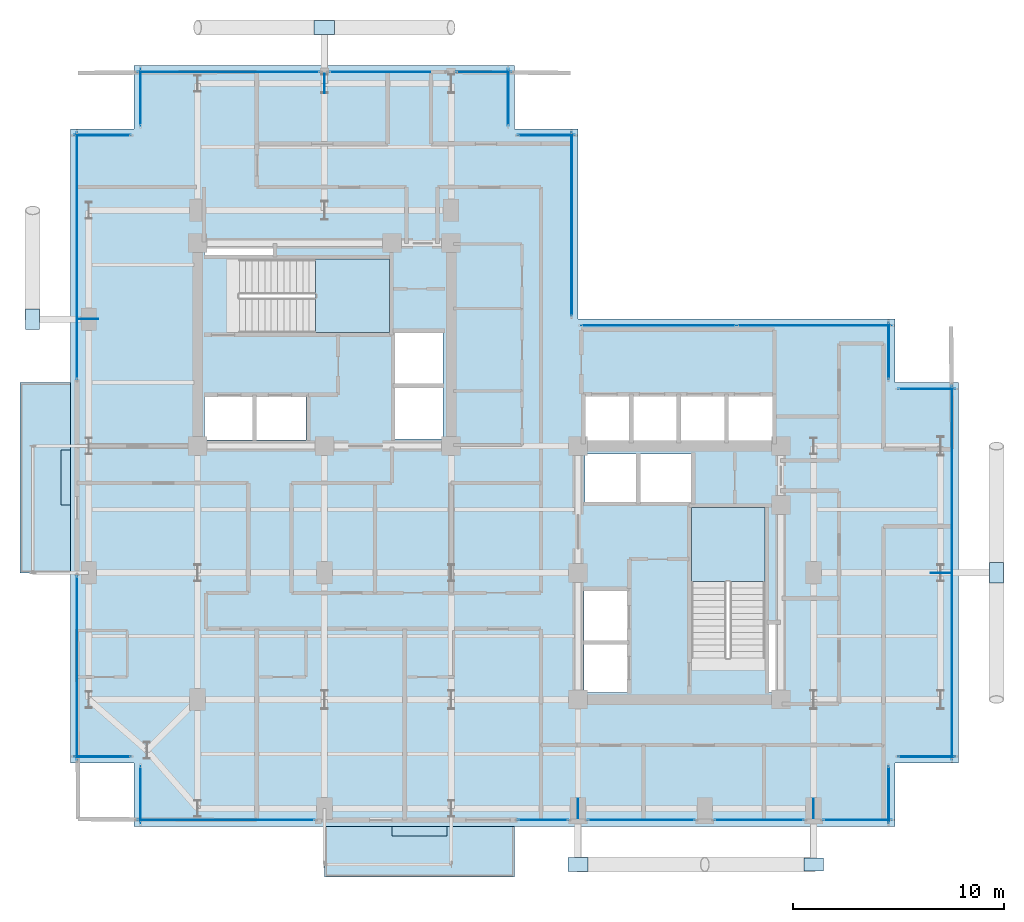
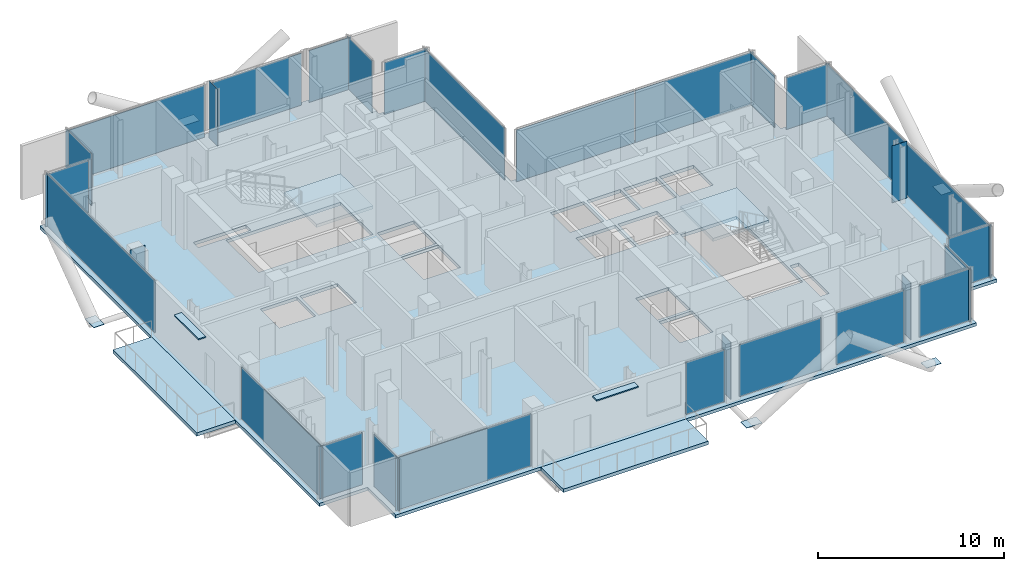
# One storey, part 15 of 22: 36 plates, 5 slabs, 25 elements without a shape of their own.
"""IFC4 building model written with IfcOpenShell, lengths in metres."""

import ifcopenshell
import ifcopenshell.guid

model = None  # the IFC model being written
_history = None  # IfcOwnerHistory: only IFC2X3 demands one
_inside = {}  # id of a spatial element -> (the spatial element, [elements in it])
_under = {}  # id of a project, library or spatial element -> (it, [spatial elements below it])
_declared = {}  # id of a project -> (the project, [libraries it declares])
_typed = {}  # id of a type object -> (the type object, [elements of that type])
_made_of = {}  # id of a material, layer set ... -> (it, [elements and type objects made of it])


def new_model(schema):
    """Start an empty IFC model of exactly this schema.

    Asked for "IFC4X3", IfcOpenShell would pick the latest addendum, in which some entities
    have other attributes; the version numbers below select the first issue.
    IFC2X3 requires an IfcOwnerHistory on every rooted entity: one is made here for all.
    """
    global model, _history
    if schema == "IFC4X3":
        model = ifcopenshell.file(schema_version=(4, 3, 0, 0))
    else:
        model = ifcopenshell.file(schema=schema)
    _inside.clear()
    _under.clear()
    _declared.clear()
    _typed.clear()
    _made_of.clear()
    _history = None
    if model.schema == "IFC2X3":
        org = make("IfcOrganization", Name="unknown")
        user = make(
            "IfcPersonAndOrganization",
            ThePerson=make("IfcPerson", FamilyName="unknown"),
            TheOrganization=org,
        )
        app = make(
            "IfcApplication",
            ApplicationDeveloper=org,
            Version="unknown",
            ApplicationFullName="unknown",
            ApplicationIdentifier="unknown",
        )
        _history = make(
            "IfcOwnerHistory",
            OwningUser=user,
            OwningApplication=app,
            ChangeAction="ADDED",
            CreationDate=0,
        )
    return model


def make(cls, **values):
    """One entity of the class cls with the attributes given. An attribute that is None is left unset."""
    return model.create_entity(
        cls, **{name: value for name, value in values.items() if value is not None}
    )


def rooted(cls, **values):
    """An entity with a GlobalId (a new one), such as an element, a storey or a relation."""
    return make(cls, GlobalId=ifcopenshell.guid.new(), OwnerHistory=_history, **values)


def si_unit(unit_type, name, prefix=None):
    """IfcSIUnit, for example si_unit("LENGTHUNIT", "METRE", prefix="MILLI")."""
    return make("IfcSIUnit", UnitType=unit_type, Prefix=prefix, Name=name)


def assignment(units):
    """IfcUnitAssignment: the units of a project."""
    return None if units is None else make("IfcUnitAssignment", Units=units)


def point(xyz):
    """IfcCartesianPoint."""
    return None if xyz is None else make("IfcCartesianPoint", Coordinates=xyz)


def direction(xyz):
    """IfcDirection."""
    return None if xyz is None else make("IfcDirection", DirectionRatios=xyz)


def frame(location, z_axis=None, x_axis=None):
    """IfcAxis2Placement3D, a coordinate frame: its origin and axes. An axis left out is left unset."""
    return make(
        "IfcAxis2Placement3D",
        Location=point(location),
        Axis=direction(z_axis),
        RefDirection=direction(x_axis),
    )


def frame_2d(location, x_axis=None):
    """IfcAxis2Placement2D, a coordinate frame in the plane: its origin and x axis."""
    return make(
        "IfcAxis2Placement2D", Location=point(location), RefDirection=direction(x_axis)
    )


def origin():
    """The frame at (0, 0, 0) with its axes left unset."""
    return frame((0.0, 0.0, 0.0))


def origin_2d():
    """The frame at (0, 0) in the plane with its x axis left unset."""
    return frame_2d((0.0, 0.0))


def place(relative_to, where):
    """IfcLocalPlacement: puts the frame where relative to a parent placement (None: the world)."""
    return make(
        "IfcLocalPlacement", PlacementRelTo=relative_to, RelativePlacement=where
    )


def context(
    kind, dimensions, precision=None, world=None, true_north=None, identifier=None
):
    """IfcGeometricRepresentationContext, for example the 3D "Model" context."""
    return make(
        "IfcGeometricRepresentationContext",
        ContextIdentifier=identifier,
        ContextType=kind,
        CoordinateSpaceDimension=dimensions,
        Precision=precision,
        WorldCoordinateSystem=world,
        TrueNorth=true_north,
    )


def subcontext(parent, identifier, kind, view, scale=None):
    """IfcGeometricRepresentationSubContext, for example "Body" below "Model"."""
    return make(
        "IfcGeometricRepresentationSubContext",
        ContextIdentifier=identifier,
        ContextType=kind,
        ParentContext=parent,
        TargetScale=scale,
        TargetView=view,
    )


def project(units=None, contexts=None):
    """IfcProject with its units and contexts."""
    return rooted(
        "IfcProject",
        Name="project",
        RepresentationContexts=contexts,
        UnitsInContext=assignment(units),
    )


def spatial(cls, under=None, at=None, **own):
    """A site, building, storey or space (cls), placed at a placement, below another one or the project."""
    s = rooted(cls, ObjectPlacement=at, **own)
    if under is not None:
        _under.setdefault(under.id(), (under, []))[1].append(s)
    return s


def polyline(points):
    """IfcPolyline through the points."""
    return make("IfcPolyline", Points=[point(p) for p in points])


def profile(cls, at=None, kind="AREA", **sizes):
    """A parametric profile (cls). Its sizes go by their IFC names, for example OverallWidth=200.0."""
    return make(cls, ProfileType=kind, Position=at, **sizes)


def rectangle(**sizes):
    """IfcRectangleProfileDef."""
    return profile("IfcRectangleProfileDef", **sizes)


def outline(outer, holes=None, kind="AREA"):
    """IfcArbitraryClosedProfileDef: a profile drawn as a closed curve; with holes, ...WithVoids."""
    if holes is None:
        return make("IfcArbitraryClosedProfileDef", ProfileType=kind, OuterCurve=outer)
    return make(
        "IfcArbitraryProfileDefWithVoids",
        ProfileType=kind,
        OuterCurve=outer,
        InnerCurves=holes,
    )


def extrude(swept, where, along, depth):
    """IfcExtrudedAreaSolid: the profile swept, set in the frame where, extruded along a direction by depth."""
    return make(
        "IfcExtrudedAreaSolid",
        SweptArea=swept,
        Position=where,
        ExtrudedDirection=direction(along),
        Depth=depth,
    )


def shape(context_of_items, identifier, shape_type, items):
    """IfcShapeRepresentation: the items that make up one representation, for example the "Body"."""
    return make(
        "IfcShapeRepresentation",
        ContextOfItems=context_of_items,
        RepresentationIdentifier=identifier,
        RepresentationType=shape_type,
        Items=items,
    )


def material(Name=None, Category=None):
    """IfcMaterial."""
    return make("IfcMaterial", Name=Name, Category=Category)


def layer(
    of_material, thickness, ventilated=None, Name=None, Category=None, Priority=None
):
    """IfcMaterialLayer: one layer of a wall or slab, of a material (None: an air gap)."""
    return make(
        "IfcMaterialLayer",
        Material=of_material,
        LayerThickness=thickness,
        IsVentilated=ventilated,
        Name=Name,
        Category=Category,
        Priority=Priority,
    )


def layer_set(layers, Name=None):
    """IfcMaterialLayerSet."""
    return make("IfcMaterialLayerSet", MaterialLayers=layers, LayerSetName=Name)


def made_of(thing, what):
    """Note that an element or type object is made of a material, layer set ...; save() writes the relation."""
    if what is not None:
        _made_of.setdefault(what.id(), (what, []))[1].append(thing)
    return thing


def type_object(cls, material=None, **own):
    """A type object (cls), such as IfcWallType, which elements share."""
    return made_of(rooted(cls, **own), material)


def element(
    cls,
    number,
    at=None,
    inside=None,
    cuts=None,
    type_object=None,
    material=None,
    context=None,
    identifier="Body",
    shape_type=None,
    held_by="IfcProductDefinitionShape",
    body=None,
    shapes=None,
    **own,
):
    """One element of the class cls, such as IfcWall. Its Tag is "e" and its number.

    at: its placement. inside: the storey or other place that contains it. cuts: it is an
    opening in that element (IfcRelVoidsElement). A single representation is given by context,
    identifier, shape_type and body (its items); several are given by shapes. held_by: the class
    of the entity that holds the representations. save() writes the other relations.
    """
    e = rooted(cls, Tag="e%d" % number, ObjectPlacement=at, **own)
    if body is not None:
        shapes = [shape(context, identifier, shape_type, body)]
    if shapes is not None:
        e.Representation = make(held_by, Representations=shapes)
    if inside is not None:
        _inside.setdefault(inside.id(), (inside, []))[1].append(e)
    if cuts is not None:
        rooted(
            "IfcRelVoidsElement", RelatingBuildingElement=cuts, RelatedOpeningElement=e
        )
    if type_object is not None:
        _typed.setdefault(type_object.id(), (type_object, []))[1].append(e)
    return made_of(e, material)


def aggregate(whole, parts):
    """IfcRelAggregates: a whole, such as a stair, and the parts it consists of."""
    return rooted("IfcRelAggregates", RelatingObject=whole, RelatedObjects=parts)


def save(model, path):
    """Write the relations noted so far, then the file.

    IfcRelAggregates (storeys below a building ...), IfcRelContainedInSpatialStructure (elements
    in a storey), IfcRelDefinesByType, IfcRelAssociatesMaterial and IfcRelDeclares: one each for
    every whole, place, type object, material and project.
    """
    for whole, parts in _under.values():
        aggregate(whole, parts)
    for where, things in _inside.values():
        rooted(
            "IfcRelContainedInSpatialStructure",
            RelatedElements=things,
            RelatingStructure=where,
        )
    for kind, things in _typed.values():
        rooted("IfcRelDefinesByType", RelatedObjects=things, RelatingType=kind)
    for what, things in _made_of.values():
        rooted("IfcRelAssociatesMaterial", RelatedObjects=things, RelatingMaterial=what)
    for by, libraries in _declared.values():
        rooted("IfcRelDeclares", RelatingContext=by, RelatedDefinitions=libraries)
    model.write(path)


model = new_model("IFC4")

# Units and contexts
model_context = context("Model", 3, precision=1e-05, world=origin(), true_north=direction((0.0, 1.0)))
body_context = subcontext(model_context, "Body", "Model", "MODEL_VIEW")
ifc_project = project(units=[si_unit("LENGTHUNIT", "METRE"), si_unit("AREAUNIT", "SQUARE_METRE"), si_unit("VOLUMEUNIT", "CUBIC_METRE"), si_unit("PLANEANGLEUNIT", "RADIAN"), si_unit("MASSUNIT", "GRAM", prefix="KILO"), si_unit("THERMODYNAMICTEMPERATUREUNIT", "KELVIN"), si_unit("POWERUNIT", "WATT")], contexts=[model_context])

# Site, building, storey
site_placement = place(None, origin())
site = spatial("IfcSite", under=ifc_project, at=site_placement, CompositionType="ELEMENT")
building_placement = place(site_placement, origin())
building = spatial("IfcBuilding", under=site, at=building_placement, Name="Svarakhadi Broadcast Tower", CompositionType="ELEMENT")
storey_placement = place(building_placement, frame((0.0, 0.0, 176.699951171875)))
storey = spatial("IfcBuildingStorey", under=building, at=storey_placement, Name="L43", CompositionType="ELEMENT", Elevation=176.699951171875)

# Curtain wall, plate
ifc_material_1 = material(Name="Anodised Bronze Aluminium AA 6063-T6", Category="aluminium")
ifc_layer_1 = layer(ifc_material_1, 0.18994140625)
ifc_layer_set_1 = layer_set([ifc_layer_1], Name="Anodised Bronze Aluminium AA 6063-T6")
curtain_wall_type = type_object("IfcCurtainWallType", Name="CW_Sys_04", PredefinedType="NOTDEFINED", material=ifc_layer_set_1)
curtain_wall_1_placement = place(storey_placement, origin())
curtain_wall_1 = element("IfcCurtainWall", 1, at=curtain_wall_1_placement, inside=storey, type_object=curtain_wall_type, Name="L43 Unitised Facade Curtain Wall 01", PredefinedType="NOTDEFINED")
ifc_material_2 = material(Name="Double Low-E Laminated Acoustic Glass IGU 36 mm", Category="glass")
ifc_layer_2 = layer(ifc_material_2, 0.033935546875)
ifc_layer_set_2 = layer_set([ifc_layer_2], Name="Double Low-E Laminated Acoustic Glass IGU 36 mm")
plate_type_1 = type_object("IfcPlateType", Name="CW_Sys_04_Pnl", PredefinedType="CURTAIN_PANEL", material=ifc_layer_set_2)
plate_1_placement = place(storey_placement, frame((1.5, 3.300048828125, 0.06494140625), z_axis=(0.0, 0.0, 1.0), x_axis=(-1.0, 0.0, 0.0)))
plate_1 = element("IfcPlate", 2, at=plate_1_placement, type_object=plate_type_1, Name="CW-04 panel 1.1", PredefinedType="CURTAIN_PANEL", context=body_context, shape_type="SweptSolid", body=[
    extrude(rectangle(XDim=2.679931640625, YDim=0.033935546875, at=origin_2d()), origin(), (0.0, 0.0, 1.0), 3.409912109375),
])
aggregate(curtain_wall_1, [plate_1])

curtain_wall_2_placement = place(storey_placement, origin())
curtain_wall_2 = element("IfcCurtainWall", 3, at=curtain_wall_2_placement, inside=storey, type_object=curtain_wall_type, Name="L43 West Curtain Wall 02", PredefinedType="NOTDEFINED")
plate_2_placement = place(storey_placement, frame((0.300048828125, 7.5, 0.06494140625), z_axis=(0.0, 0.0, 1.0), x_axis=(0.0, 1.0, 0.0)))
plate_2 = element("IfcPlate", 4, at=plate_2_placement, type_object=plate_type_1, Name="CW-04 panel 1.1", PredefinedType="CURTAIN_PANEL", context=body_context, shape_type="SweptSolid", body=[
    extrude(rectangle(XDim=8.679931640625, YDim=0.033935546875, at=origin_2d()), origin(), (0.0, 0.0, 1.0), 3.409912109375),
])
aggregate(curtain_wall_2, [plate_2])

curtain_wall_3_placement = place(storey_placement, origin())
curtain_wall_3 = element("IfcCurtainWall", 5, at=curtain_wall_3_placement, inside=storey, type_object=curtain_wall_type, Name="L43 West Curtain Wall 03", PredefinedType="NOTDEFINED")
plate_3_placement = place(storey_placement, frame((0.300048828125, 27.0, 0.06494140625), z_axis=(0.0, 0.0, 1.0), x_axis=(0.0, 1.0, 0.0)))
plate_3 = element("IfcPlate", 6, at=plate_3_placement, type_object=plate_type_1, Name="CW-04 panel 1.1", PredefinedType="CURTAIN_PANEL", context=body_context, shape_type="SweptSolid", body=[
    extrude(rectangle(XDim=11.679931640625, YDim=0.033935546875, at=origin_2d()), origin(), (0.0, 0.0, 1.0), 3.409912109375),
])
aggregate(curtain_wall_3, [plate_3])

curtain_wall_4_placement = place(storey_placement, origin())
curtain_wall_4 = element("IfcCurtainWall", 7, at=curtain_wall_4_placement, inside=storey, type_object=curtain_wall_type, Name="L43 Unitised Facade Curtain Wall 04", PredefinedType="NOTDEFINED")
plate_4_placement = place(storey_placement, frame((1.5, 32.699951171875, 0.06494140625), z_axis=(0.0, 0.0, 1.0), x_axis=(1.0, 0.0, 0.0)))
plate_4 = element("IfcPlate", 8, at=plate_4_placement, type_object=plate_type_1, Name="CW-04 panel 1.1", PredefinedType="CURTAIN_PANEL", context=body_context, shape_type="SweptSolid", body=[
    extrude(rectangle(XDim=2.679931640625, YDim=0.033935546875, at=origin_2d()), origin(), (0.0, 0.0, 1.0), 3.409912109375),
])
aggregate(curtain_wall_4, [plate_4])

curtain_wall_5_placement = place(storey_placement, origin())
curtain_wall_5 = element("IfcCurtainWall", 9, at=curtain_wall_5_placement, inside=storey, type_object=curtain_wall_type, Name="L43 Unitised Facade Curtain Wall 05", PredefinedType="NOTDEFINED")
plate_5_placement = place(storey_placement, frame((3.300048828125, 34.5, 0.06494140625), z_axis=(0.0, 0.0, 1.0), x_axis=(0.0, 1.0, 0.0)))
plate_5 = element("IfcPlate", 10, at=plate_5_placement, type_object=plate_type_1, Name="CW-04 panel 1.1", PredefinedType="CURTAIN_PANEL", context=body_context, shape_type="SweptSolid", body=[
    extrude(rectangle(XDim=2.679931640625, YDim=0.033935546875, at=origin_2d()), origin(), (0.0, 0.0, 1.0), 3.409912109375),
])
aggregate(curtain_wall_5, [plate_5])

curtain_wall_6_placement = place(storey_placement, origin())
curtain_wall_6 = element("IfcCurtainWall", 11, at=curtain_wall_6_placement, inside=storey, type_object=curtain_wall_type, Name="L43 Unitised Facade Curtain Wall 06 Bay 1", PredefinedType="NOTDEFINED")
plate_6_placement = place(storey_placement, frame((7.4599609375, 35.699951171875, 0.06494140625), z_axis=(0.0, 0.0, 1.0), x_axis=(1.0, 0.0, 0.0)))
plate_6 = element("IfcPlate", 12, at=plate_6_placement, type_object=plate_type_1, Name="CW-04 panel 1.1", PredefinedType="CURTAIN_PANEL", context=body_context, shape_type="SweptSolid", body=[
    extrude(rectangle(XDim=8.60009765625, YDim=0.033935546875, at=origin_2d()), origin(), (0.0, 0.0, 1.0), 3.409912109375),
])
aggregate(curtain_wall_6, [plate_6])

curtain_wall_7_placement = place(storey_placement, origin())
curtain_wall_7 = element("IfcCurtainWall", 13, at=curtain_wall_7_placement, inside=storey, type_object=curtain_wall_type, Name="L43 Unitised Facade Curtain Wall 06 Bay 2", PredefinedType="NOTDEFINED")
plate_7_placement = place(storey_placement, frame((15.0, 35.699951171875, 0.06494140625), z_axis=(0.0, 0.0, 1.0), x_axis=(1.0, 0.0, 0.0)))
plate_7 = element("IfcPlate", 14, at=plate_7_placement, type_object=plate_type_1, Name="CW-04 panel 1.1", PredefinedType="CURTAIN_PANEL", context=body_context, shape_type="SweptSolid", body=[
    extrude(rectangle(XDim=5.52001953125, YDim=0.033935546875, at=origin_2d()), origin(), (0.0, 0.0, 1.0), 3.409912109375),
])
aggregate(curtain_wall_7, [plate_7])

curtain_wall_8_placement = place(storey_placement, origin())
curtain_wall_8 = element("IfcCurtainWall", 15, at=curtain_wall_8_placement, inside=storey, type_object=curtain_wall_type, Name="L43 Unitised Facade Curtain Wall 06 Bay 3", PredefinedType="NOTDEFINED")
plate_8_placement = place(storey_placement, frame((19.5400390625, 35.699951171875, 0.06494140625), z_axis=(0.0, 0.0, 1.0), x_axis=(1.0, 0.0, 0.0)))
plate_8 = element("IfcPlate", 16, at=plate_8_placement, type_object=plate_type_1, Name="CW-04 panel 1.1", PredefinedType="CURTAIN_PANEL", context=body_context, shape_type="SweptSolid", body=[
    extrude(rectangle(XDim=2.60009765625, YDim=0.033935546875, at=origin_2d()), origin(), (0.0, 0.0, 1.0), 3.409912109375),
])
aggregate(curtain_wall_8, [plate_8])

curtain_wall_9_placement = place(storey_placement, origin())
curtain_wall_9 = element("IfcCurtainWall", 17, at=curtain_wall_9_placement, inside=storey, type_object=curtain_wall_type, Name="L43 Unitised Facade Curtain Wall 07", PredefinedType="NOTDEFINED")
plate_9_placement = place(storey_placement, frame((20.699951171875, 34.5, 0.06494140625), z_axis=(0.0, 0.0, 1.0), x_axis=(0.0, -1.0, 0.0)))
plate_9 = element("IfcPlate", 18, at=plate_9_placement, type_object=plate_type_1, Name="CW-04 panel 1.1", PredefinedType="CURTAIN_PANEL", context=body_context, shape_type="SweptSolid", body=[
    extrude(rectangle(XDim=2.679931640625, YDim=0.033935546875, at=origin_2d()), origin(), (0.0, 0.0, 1.0), 3.409912109375),
])
aggregate(curtain_wall_9, [plate_9])

curtain_wall_10_placement = place(storey_placement, origin())
curtain_wall_10 = element("IfcCurtainWall", 19, at=curtain_wall_10_placement, inside=storey, type_object=curtain_wall_type, Name="L43 Unitised Facade Curtain Wall 08", PredefinedType="NOTDEFINED")
plate_10_placement = place(storey_placement, frame((22.5, 32.699951171875, 0.06494140625), z_axis=(0.0, 0.0, 1.0), x_axis=(1.0, 0.0, 0.0)))
plate_10 = element("IfcPlate", 20, at=plate_10_placement, type_object=plate_type_1, Name="CW-04 panel 1.1", PredefinedType="CURTAIN_PANEL", context=body_context, shape_type="SweptSolid", body=[
    extrude(rectangle(XDim=2.679931640625, YDim=0.033935546875, at=origin_2d()), origin(), (0.0, 0.0, 1.0), 3.409912109375),
])
aggregate(curtain_wall_10, [plate_10])

curtain_wall_11_placement = place(storey_placement, origin())
curtain_wall_11 = element("IfcCurtainWall", 21, at=curtain_wall_11_placement, inside=storey, type_object=curtain_wall_type, Name="L43 Unitised Facade Curtain Wall 09", PredefinedType="NOTDEFINED")
plate_11_placement = place(storey_placement, frame((23.699951171875, 28.5, 0.06494140625), z_axis=(0.0, 0.0, 1.0), x_axis=(0.0, -1.0, 0.0)))
plate_11 = element("IfcPlate", 22, at=plate_11_placement, type_object=plate_type_1, Name="CW-04 panel 1.1", PredefinedType="CURTAIN_PANEL", context=body_context, shape_type="SweptSolid", body=[
    extrude(rectangle(XDim=8.679931640625, YDim=0.033935546875, at=origin_2d()), origin(), (0.0, 0.0, 1.0), 3.409912109375),
])
aggregate(curtain_wall_11, [plate_11])

# Curtain wall, plates
curtain_wall_12_placement = place(storey_placement, origin())
curtain_wall_12 = element("IfcCurtainWall", 23, at=curtain_wall_12_placement, inside=storey, type_object=curtain_wall_type, Name="L43 Unitised Facade Curtain Wall 10", PredefinedType="NOTDEFINED")
plate_12_placement = place(storey_placement, frame((27.8125, 23.699951171875, 0.06494140625), z_axis=(0.0, 0.0, 1.0), x_axis=(1.0, 0.0, 0.0)))
plate_12 = element("IfcPlate", 24, at=plate_12_placement, type_object=plate_type_1, Name="CW-04 panel 1.1", PredefinedType="CURTAIN_PANEL", context=body_context, shape_type="SweptSolid", body=[
    extrude(rectangle(XDim=7.304931640625, YDim=0.033935546875, at=origin_2d()), origin(), (0.0, 0.0, 1.0), 3.409912109375),
])
plate_13_placement = place(storey_placement, frame((35.1875, 23.699951171875, 0.06494140625), z_axis=(0.0, 0.0, 1.0), x_axis=(1.0, 0.0, 0.0)))
plate_13 = element("IfcPlate", 25, at=plate_13_placement, type_object=plate_type_1, Name="CW-04 panel 2.1", PredefinedType="CURTAIN_PANEL", context=body_context, shape_type="SweptSolid", body=[
    extrude(rectangle(XDim=7.304931640625, YDim=0.033935546875, at=origin_2d()), origin(), (0.0, 0.0, 1.0), 3.409912109375),
])
aggregate(curtain_wall_12, [plate_12, plate_13])

# Curtain wall, plate
curtain_wall_13_placement = place(storey_placement, origin())
curtain_wall_13 = element("IfcCurtainWall", 26, at=curtain_wall_13_placement, inside=storey, type_object=curtain_wall_type, Name="L43 Unitised Facade Curtain Wall 11", PredefinedType="NOTDEFINED")
plate_14_placement = place(storey_placement, frame((38.699951171875, 22.5, 0.06494140625), z_axis=(0.0, 0.0, 1.0), x_axis=(0.0, -1.0, 0.0)))
plate_14 = element("IfcPlate", 27, at=plate_14_placement, type_object=plate_type_1, Name="CW-04 panel 1.1", PredefinedType="CURTAIN_PANEL", context=body_context, shape_type="SweptSolid", body=[
    extrude(rectangle(XDim=2.679931640625, YDim=0.033935546875, at=origin_2d()), origin(), (0.0, 0.0, 1.0), 3.409912109375),
])
aggregate(curtain_wall_13, [plate_14])

curtain_wall_14_placement = place(storey_placement, origin())
curtain_wall_14 = element("IfcCurtainWall", 28, at=curtain_wall_14_placement, inside=storey, type_object=curtain_wall_type, Name="L43 Unitised Facade Curtain Wall 12", PredefinedType="NOTDEFINED")
plate_15_placement = place(storey_placement, frame((40.5, 20.699951171875, 0.06494140625), z_axis=(0.0, 0.0, 1.0), x_axis=(1.0, 0.0, 0.0)))
plate_15 = element("IfcPlate", 29, at=plate_15_placement, type_object=plate_type_1, Name="CW-04 panel 1.1", PredefinedType="CURTAIN_PANEL", context=body_context, shape_type="SweptSolid", body=[
    extrude(rectangle(XDim=2.679931640625, YDim=0.033935546875, at=origin_2d()), origin(), (0.0, 0.0, 1.0), 3.409912109375),
])
aggregate(curtain_wall_14, [plate_15])

curtain_wall_15_placement = place(storey_placement, origin())
curtain_wall_15 = element("IfcCurtainWall", 30, at=curtain_wall_15_placement, inside=storey, type_object=curtain_wall_type, Name="L43 Unitised Facade Curtain Wall 13", PredefinedType="NOTDEFINED")
plate_16_placement = place(storey_placement, frame((41.699951171875, 12.0, 0.06494140625), z_axis=(0.0, 0.0, 1.0), x_axis=(0.0, -1.0, 0.0)))
plate_16 = element("IfcPlate", 31, at=plate_16_placement, type_object=plate_type_1, Name="CW-04 panel 1.1", PredefinedType="CURTAIN_PANEL", context=body_context, shape_type="SweptSolid", body=[
    extrude(rectangle(XDim=17.679931640625, YDim=0.033935546875, at=origin_2d()), origin(), (0.0, 0.0, 1.0), 3.409912109375),
])
aggregate(curtain_wall_15, [plate_16])

curtain_wall_16_placement = place(storey_placement, origin())
curtain_wall_16 = element("IfcCurtainWall", 32, at=curtain_wall_16_placement, inside=storey, type_object=curtain_wall_type, Name="L43 Unitised Facade Curtain Wall 14", PredefinedType="NOTDEFINED")
plate_17_placement = place(storey_placement, frame((40.5, 3.300048828125, 0.06494140625), z_axis=(0.0, 0.0, 1.0), x_axis=(-1.0, 0.0, 0.0)))
plate_17 = element("IfcPlate", 33, at=plate_17_placement, type_object=plate_type_1, Name="CW-04 panel 1.1", PredefinedType="CURTAIN_PANEL", context=body_context, shape_type="SweptSolid", body=[
    extrude(rectangle(XDim=2.679931640625, YDim=0.033935546875, at=origin_2d()), origin(), (0.0, 0.0, 1.0), 3.409912109375),
])
aggregate(curtain_wall_16, [plate_17])

curtain_wall_17_placement = place(storey_placement, origin())
curtain_wall_17 = element("IfcCurtainWall", 34, at=curtain_wall_17_placement, inside=storey, type_object=curtain_wall_type, Name="L43 Unitised Facade Curtain Wall 15", PredefinedType="NOTDEFINED")
plate_18_placement = place(storey_placement, frame((38.699951171875, 1.5, 0.06494140625), z_axis=(0.0, 0.0, 1.0), x_axis=(0.0, -1.0, 0.0)))
plate_18 = element("IfcPlate", 35, at=plate_18_placement, type_object=plate_type_1, Name="CW-04 panel 1.1", PredefinedType="CURTAIN_PANEL", context=body_context, shape_type="SweptSolid", body=[
    extrude(rectangle(XDim=2.679931640625, YDim=0.033935546875, at=origin_2d()), origin(), (0.0, 0.0, 1.0), 3.409912109375),
])
aggregate(curtain_wall_17, [plate_18])

curtain_wall_18_placement = place(storey_placement, origin())
curtain_wall_18 = element("IfcCurtainWall", 36, at=curtain_wall_18_placement, inside=storey, type_object=curtain_wall_type, Name="L43 South Curtain Wall 16 Bay 1", PredefinedType="NOTDEFINED")
plate_19_placement = place(storey_placement, frame((37.2275390625, 0.300048828125, 0.06494140625), z_axis=(0.0, 0.0, 1.0), x_axis=(-1.0, 0.0, 0.0)))
plate_19 = element("IfcPlate", 37, at=plate_19_placement, type_object=plate_type_1, Name="CW-04 panel 1.1", PredefinedType="CURTAIN_PANEL", context=body_context, shape_type="SweptSolid", body=[
    extrude(rectangle(XDim=3.22509765625, YDim=0.033935546875, at=origin_2d()), origin(), (0.0, 0.0, 1.0), 3.409912109375),
])
aggregate(curtain_wall_18, [plate_19])

curtain_wall_19_placement = place(storey_placement, origin())
curtain_wall_19 = element("IfcCurtainWall", 38, at=curtain_wall_19_placement, inside=storey, type_object=curtain_wall_type, Name="L43 South Curtain Wall 16 Bay 2", PredefinedType="NOTDEFINED")
plate_20_placement = place(storey_placement, frame((32.574951171875, 0.300048828125, 0.06494140625), z_axis=(0.0, 0.0, 1.0), x_axis=(-1.0, 0.0, 0.0)))
plate_20 = element("IfcPlate", 39, at=plate_20_placement, type_object=plate_type_1, Name="CW-04 panel 1.1", PredefinedType="CURTAIN_PANEL", context=body_context, shape_type="SweptSolid", body=[
    extrude(rectangle(XDim=4.219970703125, YDim=0.033935546875, at=origin_2d()), origin(), (0.0, 0.0, 1.0), 3.409912109375),
])
aggregate(curtain_wall_19, [plate_20])

curtain_wall_20_placement = place(storey_placement, origin())
curtain_wall_20 = element("IfcCurtainWall", 40, at=curtain_wall_20_placement, inside=storey, type_object=curtain_wall_type, Name="L43 South Curtain Wall 16 Bay 3", PredefinedType="NOTDEFINED")
plate_21_placement = place(storey_placement, frame((27.0, 0.300048828125, 0.06494140625), z_axis=(0.0, 0.0, 1.0), x_axis=(-1.0, 0.0, 0.0)))
plate_21 = element("IfcPlate", 41, at=plate_21_placement, type_object=plate_type_1, Name="CW-04 panel 1.1", PredefinedType="CURTAIN_PANEL", context=body_context, shape_type="SweptSolid", body=[
    extrude(rectangle(XDim=5.070068359375, YDim=0.033935546875, at=origin_2d()), origin(), (0.0, 0.0, 1.0), 3.409912109375),
])
aggregate(curtain_wall_20, [plate_21])

curtain_wall_21_placement = place(storey_placement, origin())
curtain_wall_21 = element("IfcCurtainWall", 42, at=curtain_wall_21_placement, inside=storey, type_object=curtain_wall_type, Name="L43 South Curtain Wall 16 Bay 4", PredefinedType="NOTDEFINED")
plate_22_placement = place(storey_placement, frame((22.347412109375, 0.300048828125, 0.06494140625), z_axis=(0.0, 0.0, 1.0), x_axis=(-1.0, 0.0, 0.0)))
plate_22 = element("IfcPlate", 43, at=plate_22_placement, type_object=plate_type_1, Name="CW-04 panel 1.1", PredefinedType="CURTAIN_PANEL", context=body_context, shape_type="SweptSolid", body=[
    extrude(rectangle(XDim=2.375, YDim=0.033935546875, at=origin_2d()), origin(), (0.0, 0.0, 1.0), 3.409912109375),
])
aggregate(curtain_wall_21, [plate_22])

curtain_wall_22_placement = place(storey_placement, origin())
curtain_wall_22 = element("IfcCurtainWall", 44, at=curtain_wall_22_placement, inside=storey, type_object=curtain_wall_type, Name="L43 South Curtain Wall 17", PredefinedType="NOTDEFINED")
plate_23_placement = place(storey_placement, frame((7.347412109375, 0.300048828125, 0.06494140625), z_axis=(0.0, 0.0, 1.0), x_axis=(-1.0, 0.0, 0.0)))
plate_23 = element("IfcPlate", 45, at=plate_23_placement, type_object=plate_type_1, Name="CW-04 panel 1.1", PredefinedType="CURTAIN_PANEL", context=body_context, shape_type="SweptSolid", body=[
    extrude(rectangle(XDim=8.375, YDim=0.033935546875, at=origin_2d()), origin(), (0.0, 0.0, 1.0), 3.409912109375),
])
aggregate(curtain_wall_22, [plate_23])

curtain_wall_23_placement = place(storey_placement, origin())
curtain_wall_23 = element("IfcCurtainWall", 46, at=curtain_wall_23_placement, inside=storey, type_object=curtain_wall_type, Name="L43 Unitised Facade Curtain Wall 18", PredefinedType="NOTDEFINED")
plate_24_placement = place(storey_placement, frame((3.300048828125, 1.5, 0.06494140625), z_axis=(0.0, 0.0, 1.0), x_axis=(0.0, 1.0, 0.0)))
plate_24 = element("IfcPlate", 47, at=plate_24_placement, type_object=plate_type_1, Name="CW-04 panel 1.1", PredefinedType="CURTAIN_PANEL", context=body_context, shape_type="SweptSolid", body=[
    extrude(rectangle(XDim=2.679931640625, YDim=0.033935546875, at=origin_2d()), origin(), (0.0, 0.0, 1.0), 3.409912109375),
])
aggregate(curtain_wall_23, [plate_24])

# Plates
ifc_material_3 = material(Name="Steel S460ML (IS 2062 E450BR)", Category="steel")
ifc_layer_3 = layer(ifc_material_3, 0.028076171875)
ifc_layer_set_3 = layer_set([ifc_layer_3], Name="Steel S460ML (IS 2062 E450BR)")
plate_type_2 = type_object("IfcPlateType", Name="Node_Gusset_N03", PredefinedType="SHEET", material=ifc_layer_set_3)
for number, where, z_axis, x_axis, name in (
    (48, (24.0, -1.800048828125, -0.2099609375), (0.0, 0.0, 1.0), (1.0, 0.0, 0.0), "L43 Exoskeleton Gusset Node Plate S01"),
    (49, (-1.800048828125, 24.0, -0.2099609375), (0.0, 0.0, 1.0), (0.0, 1.0, 0.0), "L43 Exoskeleton Gusset Node Plate W03"),
    (50, (43.800048828125, 12.0, -0.2099609375), (0.0, 0.0, 1.0), (0.0, 1.0, 0.0), "L43 Exoskeleton Gusset Node Plate E04"),
    (51, (12.0, 37.800048828125, -0.2099609375), (0.0, 0.0, 1.0), (1.0, 0.0, 0.0), "L43 Exoskeleton Gusset Node Plate N05"),
):
    element("IfcPlate", number, at=place(storey_placement, frame(where, z_axis=z_axis, x_axis=x_axis)), inside=storey, type_object=plate_type_2, Name=name, PredefinedType="SHEET", context=body_context, shape_type="SweptSolid", body=[
        extrude(rectangle(XDim=0.9599609375, YDim=0.659912109375, at=origin_2d()), origin(), (0.0, 0.0, 1.0), 0.028076171875),
    ])
ifc_layer_4 = layer(ifc_material_3, 0.02587890625)
ifc_layer_set_4 = layer_set([ifc_layer_4], Name="Steel S460ML (IS 2062 E450BR)")
plate_type_3 = type_object("IfcPlateType", Name="Node_Gusset_N07", PredefinedType="SHEET", material=ifc_layer_set_4)
plate_25_placement = place(storey_placement, frame((35.14990234375, -1.800048828125, -0.2099609375), z_axis=(0.0, 0.0, 1.0), x_axis=(1.0, 0.0, 0.0)))
element("IfcPlate", 52, at=plate_25_placement, inside=storey, type_object=plate_type_3, Name="L43 Exoskeleton Gusset Node Plate S02", PredefinedType="SHEET", context=body_context, shape_type="SweptSolid", body=[
    extrude(rectangle(XDim=0.919921875, YDim=0.6201171875, at=origin_2d()), origin(), (0.0, 0.0, 1.0), 0.02587890625),
])
for number, where, z_axis, x_axis, name in (
    (53, (24.0, 0.85009765625, -0.57177734375), (0.0, 0.0, 1.0), (0.0, 1.0, 0.0), "L43 Brace End Connection Gusset Plate N-07-E0358"),
    (54, (35.14990234375, 0.85009765625, -0.57177734375), (0.0, 0.0, 1.0), (0.0, 1.0, 0.0), "L43 Brace End Connection Gusset Plate N-07-E0359"),
    (55, (0.85009765625, 24.0, -0.57177734375), (0.0, 0.0, 1.0), (1.0, 0.0, 0.0), "L43 Brace End Connection Gusset Plate N-07-E0360"),
    (56, (41.14990234375, 12.0, -0.57177734375), (0.0, 0.0, 1.0), (1.0, 0.0, 0.0), "L43 Brace End Connection Gusset Plate N-07-E0361"),
    (57, (12.0, 35.14990234375, -0.57177734375), (0.0, 0.0, 1.0), (0.0, 1.0, 0.0), "L43 Brace End Connection Gusset Plate N-07-E0362"),
):
    element("IfcPlate", number, at=place(storey_placement, frame(where, z_axis=z_axis, x_axis=x_axis)), inside=storey, type_object=plate_type_3, Name=name, PredefinedType="SHEET", context=body_context, shape_type="SweptSolid", body=[
        extrude(rectangle(XDim=0.919921875, YDim=0.02587890625, at=origin_2d()), origin(), (0.0, 0.0, 1.0), 4.300048828125),
    ])

# Slab
ifc_material_4 = material(Name="Concrete C40/50 (IS 456 M50)", Category="concrete")
ifc_layer_5 = layer(ifc_material_4, 0.2099609375)
ifc_layer_set_5 = layer_set([ifc_layer_5], Name="Concrete C40/50 (IS 456 M50)")
slab_type_1 = type_object("IfcSlabType", Name="Slab_Floor_210", PredefinedType="FLOOR", material=ifc_layer_set_5)
slab_1_placement = place(storey_placement, frame((0.0, 0.0, -0.2099609375)))
element("IfcSlab", 58, at=slab_1_placement, inside=storey, type_object=slab_type_1, Name="L43 Structural Floor Slab", PredefinedType="FLOOR", context=body_context, shape_type="SweptSolid", body=[
    extrude(outline(polyline([(3.0, 0.0), (39.0, 0.0), (39.0, 3.0), (42.0, 3.0), (42.0, 21.0), (39.0, 21.0), (39.0, 24.0), (24.0, 24.0), (24.0, 33.0), (21.0, 33.0), (21.0, 36.0), (3.0, 36.0), (3.0, 33.0), (0.0, 33.0), (0.0, 3.0), (3.0, 3.0), (3.0, 0.0)]), holes=[polyline([(7.97998046875, 23.360107421875), (15.080078125, 23.360107421875), (15.080078125, 26.840087890625), (7.97998046875, 26.840087890625), (7.97998046875, 23.360107421875)]), polyline([(32.840087890625, 7.97998046875), (32.840087890625, 15.080078125), (29.360107421875, 15.080078125), (29.360107421875, 7.97998046875), (32.840087890625, 7.97998046875)]), polyline([(6.340087890625, 18.2900390625), (8.610107421875, 18.2900390625), (8.610107421875, 20.330078125), (6.340087890625, 20.330078125), (6.340087890625, 18.2900390625)]), polyline([(8.7900390625, 18.2900390625), (11.1298828125, 18.2900390625), (11.1298828125, 20.330078125), (8.7900390625, 20.330078125), (8.7900390625, 18.2900390625)]), polyline([(24.2900390625, 6.340087890625), (26.330078125, 6.340087890625), (26.330078125, 8.610107421875), (24.2900390625, 8.610107421875), (24.2900390625, 6.340087890625)]), polyline([(24.2900390625, 8.7900390625), (26.330078125, 8.7900390625), (26.330078125, 11.1298828125), (24.2900390625, 11.1298828125), (24.2900390625, 8.7900390625)]), polyline([(6.340087890625, 26.989990234375), (9.610107421875, 26.989990234375), (9.610107421875, 27.530029296875), (6.340087890625, 27.530029296875), (6.340087890625, 26.989990234375)]), polyline([(32.989990234375, 6.340087890625), (33.530029296875, 6.340087890625), (33.530029296875, 9.610107421875), (32.989990234375, 9.610107421875), (32.989990234375, 6.340087890625)]), polyline([(15.340087890625, 18.340087890625), (17.610107421875, 18.340087890625), (17.610107421875, 20.760009765625), (15.340087890625, 20.760009765625), (15.340087890625, 18.340087890625)]), polyline([(15.340087890625, 20.93994140625), (17.610107421875, 20.93994140625), (17.610107421875, 23.360107421875), (15.340087890625, 23.360107421875), (15.340087890625, 20.93994140625)]), polyline([(24.340087890625, 15.340087890625), (26.760009765625, 15.340087890625), (26.760009765625, 17.610107421875), (24.340087890625, 17.610107421875), (24.340087890625, 15.340087890625)]), polyline([(26.93994140625, 15.340087890625), (29.360107421875, 15.340087890625), (29.360107421875, 17.610107421875), (26.93994140625, 17.610107421875), (26.93994140625, 15.340087890625)]), polyline([(24.340087890625, 18.239990234375), (26.429931640625, 18.239990234375), (26.429931640625, 20.360107421875), (24.340087890625, 20.360107421875), (24.340087890625, 18.239990234375)]), polyline([(26.610107421875, 18.239990234375), (28.679931640625, 18.239990234375), (28.679931640625, 20.360107421875), (26.610107421875, 20.360107421875), (26.610107421875, 18.239990234375)]), polyline([(28.860107421875, 18.239990234375), (30.929931640625, 18.239990234375), (30.929931640625, 20.360107421875), (28.860107421875, 20.360107421875), (28.860107421875, 18.239990234375)]), polyline([(31.110107421875, 18.239990234375), (33.2099609375, 18.239990234375), (33.2099609375, 20.360107421875), (31.110107421875, 20.360107421875), (31.110107421875, 18.239990234375)])]), origin(), (0.0, 0.0, 1.0), 0.2099609375),
])

# Stair, slab
stair_type = type_object("IfcStairType", Name="Stair_Exit_Core", PredefinedType="HALF_TURN_STAIR", material=ifc_material_4)
stair_1_placement = place(storey_placement, origin())
stair_1 = element("IfcStair", 59, at=stair_1_placement, inside=storey, type_object=stair_type, Name="L43 West Core Protected Exit Stair ST-01", PredefinedType="HALF_TURN_STAIR")
ifc_layer_6 = layer(ifc_material_4, 0.199951171875)
ifc_layer_set_6 = layer_set([ifc_layer_6], Name="Concrete C40/50 (IS 456 M50)")
slab_type_2 = type_object("IfcSlabType", Name="Slab_Stair_Land", PredefinedType="LANDING", material=ifc_layer_set_6)
slab_2_placement = place(storey_placement, frame((0.0, 0.0, 1.675048828125)))
slab_2 = element("IfcSlab", 60, at=slab_2_placement, type_object=slab_type_2, Name="ST-01 landing 1", PredefinedType="LANDING", context=body_context, shape_type="SweptSolid", body=[
    extrude(outline(polyline([(11.580078125, 23.360107421875), (15.080078125, 23.360107421875), (15.080078125, 26.840087890625), (11.580078125, 26.840087890625), (11.580078125, 23.360107421875)])), origin(), (0.0, 0.0, 1.0), 0.199951171875),
])
aggregate(stair_1, [slab_2])

stair_2_placement = place(storey_placement, origin())
stair_2 = element("IfcStair", 61, at=stair_2_placement, inside=storey, type_object=stair_type, Name="L43 East Core Protected Exit Stair ST-02", PredefinedType="HALF_TURN_STAIR")
slab_3_placement = place(storey_placement, frame((0.0, 0.0, 1.675048828125)))
slab_3 = element("IfcSlab", 62, at=slab_3_placement, type_object=slab_type_2, Name="ST-02 landing 1", PredefinedType="LANDING", context=body_context, shape_type="SweptSolid", body=[
    extrude(outline(polyline([(32.840087890625, 11.580078125), (32.840087890625, 15.080078125), (29.360107421875, 15.080078125), (29.360107421875, 11.580078125), (32.840087890625, 11.580078125)])), origin(), (0.0, 0.0, 1.0), 0.199951171875),
])
aggregate(stair_2, [slab_3])

# Slabs
ifc_layer_7 = layer(ifc_material_4, 0.22509765625)
ifc_layer_set_7 = layer_set([ifc_layer_7], Name="Concrete C40/50 (IS 456 M50)")
slab_type_3 = type_object("IfcSlabType", Name="Slab_TreeBalcony", PredefinedType="FLOOR", material=ifc_layer_set_7)
slab_4_placement = place(storey_placement, frame((0.0, 0.0, -0.224853515625)))
element("IfcSlab", 63, at=slab_4_placement, inside=storey, type_object=slab_type_3, Name="L43 Planted Tree Balcony Slab BAL-S", PredefinedType="FLOOR", context=body_context, shape_type="SweptSolid", body=[
    extrude(outline(polyline([(12.0, -2.39990234375), (21.0, -2.39990234375), (21.0, 0.0), (12.0, 0.0), (12.0, -2.39990234375)])), origin(), (0.0, 0.0, 1.0), 0.224853515625),
])
slab_5_placement = place(storey_placement, frame((0.0, 0.0, -0.224853515625)))
element("IfcSlab", 64, at=slab_5_placement, inside=storey, type_object=slab_type_3, Name="L43 Planted Tree Balcony Slab BAL-W", PredefinedType="FLOOR", context=body_context, shape_type="SweptSolid", body=[
    extrude(outline(polyline([(-2.39990234375, 12.0), (0.0, 12.0), (0.0, 21.0), (-2.39990234375, 21.0), (-2.39990234375, 12.0)])), origin(), (0.0, 0.0, 1.0), 0.224853515625),
])

# Plates
ifc_layer_8 = layer(ifc_material_1, 0.080078125)
ifc_layer_set_8 = layer_set([ifc_layer_8], Name="Anodised Bronze Aluminium AA 6063-T6")
plate_type_4 = type_object("IfcPlateType", Name="Sunshade_Fin_SS01", PredefinedType="USERDEFINED", material=ifc_layer_set_8)
for number, where, z_axis, x_axis, name in (
    (65, (16.5, -0.22509765625, 3.4599609375), (0.0, 0.0, 1.0), (1.0, 0.0, 0.0), "L43 South Bronze Brise-Soleil Sunshade SS-01"),
    (66, (-0.22509765625, 16.5, 3.4599609375), (0.0, 0.0, 1.0), (0.0, 1.0, 0.0), "L43 West Bronze Brise-Soleil Sunshade SS-01"),
):
    element("IfcPlate", number, at=place(storey_placement, frame(where, z_axis=z_axis, x_axis=x_axis)), inside=storey, type_object=plate_type_4, Name=name, ObjectType="SUNSHADE", PredefinedType="USERDEFINED", context=body_context, shape_type="SweptSolid", body=[
        extrude(rectangle(XDim=2.60009765625, YDim=0.449951171875, at=origin_2d()), origin(), (0.0, 0.0, 1.0), 0.080078125),
    ])

save(model, "model.ifc")
